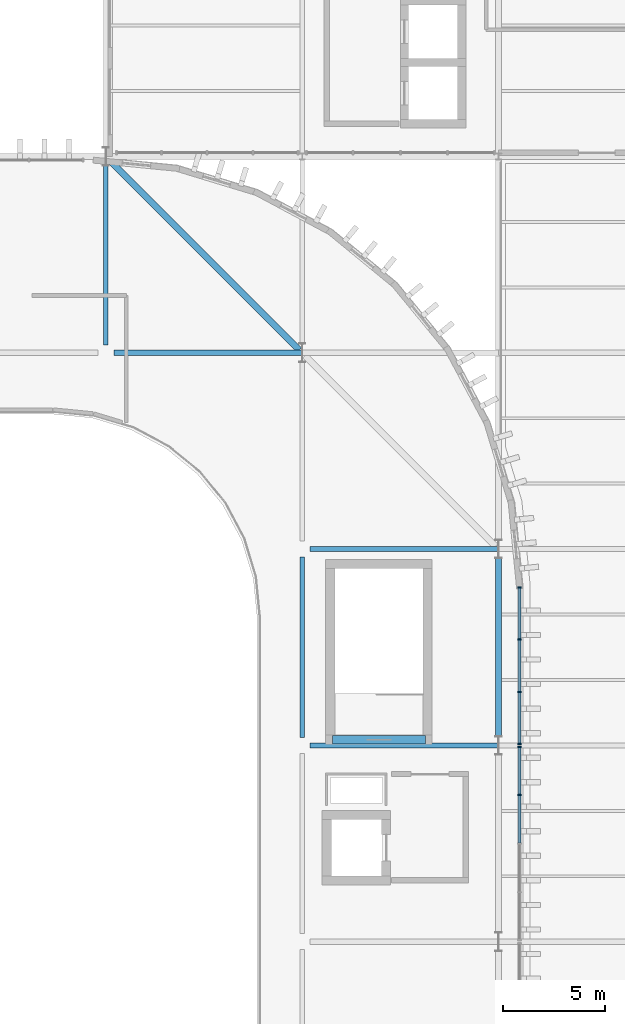
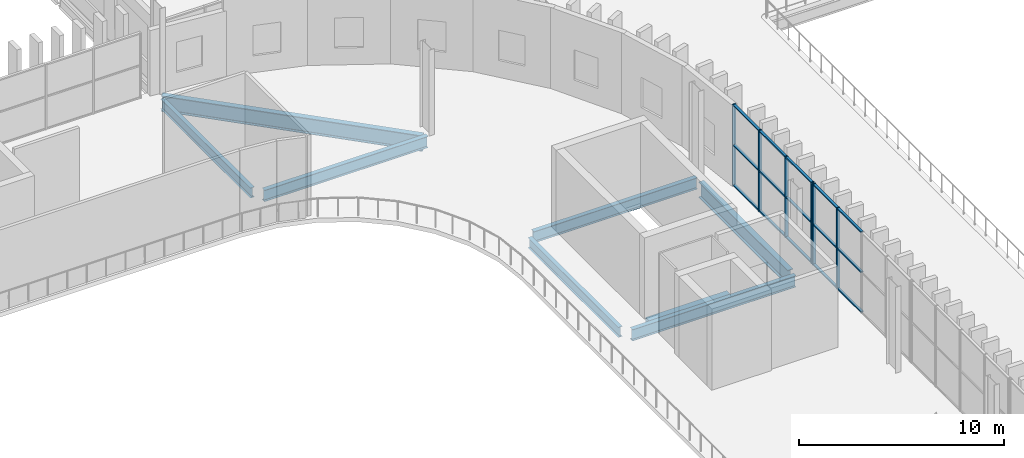
# One storey, part 21 of 45: 21 members, 8 beams, 2 elements without a shape of their own.
"""IFC4 building model written with IfcOpenShell, lengths in metres."""

import ifcopenshell
import ifcopenshell.guid

model = None  # the IFC model being written
_history = None  # IfcOwnerHistory: only IFC2X3 demands one
_inside = {}  # id of a spatial element -> (the spatial element, [elements in it])
_under = {}  # id of a project, library or spatial element -> (it, [spatial elements below it])
_declared = {}  # id of a project -> (the project, [libraries it declares])
_typed = {}  # id of a type object -> (the type object, [elements of that type])
_made_of = {}  # id of a material, layer set ... -> (it, [elements and type objects made of it])


def new_model(schema):
    """Start an empty IFC model of exactly this schema.

    Asked for "IFC4X3", IfcOpenShell would pick the latest addendum, in which some entities
    have other attributes; the version numbers below select the first issue.
    IFC2X3 requires an IfcOwnerHistory on every rooted entity: one is made here for all.
    """
    global model, _history
    if schema == "IFC4X3":
        model = ifcopenshell.file(schema_version=(4, 3, 0, 0))
    else:
        model = ifcopenshell.file(schema=schema)
    _inside.clear()
    _under.clear()
    _declared.clear()
    _typed.clear()
    _made_of.clear()
    _history = None
    if model.schema == "IFC2X3":
        org = make("IfcOrganization", Name="unknown")
        user = make(
            "IfcPersonAndOrganization",
            ThePerson=make("IfcPerson", FamilyName="unknown"),
            TheOrganization=org,
        )
        app = make(
            "IfcApplication",
            ApplicationDeveloper=org,
            Version="unknown",
            ApplicationFullName="unknown",
            ApplicationIdentifier="unknown",
        )
        _history = make(
            "IfcOwnerHistory",
            OwningUser=user,
            OwningApplication=app,
            ChangeAction="ADDED",
            CreationDate=0,
        )
    return model


def make(cls, **values):
    """One entity of the class cls with the attributes given. An attribute that is None is left unset."""
    return model.create_entity(
        cls, **{name: value for name, value in values.items() if value is not None}
    )


def rooted(cls, **values):
    """An entity with a GlobalId (a new one), such as an element, a storey or a relation."""
    return make(cls, GlobalId=ifcopenshell.guid.new(), OwnerHistory=_history, **values)


def si_unit(unit_type, name, prefix=None):
    """IfcSIUnit, for example si_unit("LENGTHUNIT", "METRE", prefix="MILLI")."""
    return make("IfcSIUnit", UnitType=unit_type, Prefix=prefix, Name=name)


def assignment(units):
    """IfcUnitAssignment: the units of a project."""
    return None if units is None else make("IfcUnitAssignment", Units=units)


def point(xyz):
    """IfcCartesianPoint."""
    return None if xyz is None else make("IfcCartesianPoint", Coordinates=xyz)


def direction(xyz):
    """IfcDirection."""
    return None if xyz is None else make("IfcDirection", DirectionRatios=xyz)


def frame(location, z_axis=None, x_axis=None):
    """IfcAxis2Placement3D, a coordinate frame: its origin and axes. An axis left out is left unset."""
    return make(
        "IfcAxis2Placement3D",
        Location=point(location),
        Axis=direction(z_axis),
        RefDirection=direction(x_axis),
    )


def frame_2d(location, x_axis=None):
    """IfcAxis2Placement2D, a coordinate frame in the plane: its origin and x axis."""
    return make(
        "IfcAxis2Placement2D", Location=point(location), RefDirection=direction(x_axis)
    )


def origin():
    """The frame at (0, 0, 0) with its axes left unset."""
    return frame((0.0, 0.0, 0.0))


def origin_2d():
    """The frame at (0, 0) in the plane with its x axis left unset."""
    return frame_2d((0.0, 0.0))


def place(relative_to, where):
    """IfcLocalPlacement: puts the frame where relative to a parent placement (None: the world)."""
    return make(
        "IfcLocalPlacement", PlacementRelTo=relative_to, RelativePlacement=where
    )


def context(
    kind, dimensions, precision=None, world=None, true_north=None, identifier=None
):
    """IfcGeometricRepresentationContext, for example the 3D "Model" context."""
    return make(
        "IfcGeometricRepresentationContext",
        ContextIdentifier=identifier,
        ContextType=kind,
        CoordinateSpaceDimension=dimensions,
        Precision=precision,
        WorldCoordinateSystem=world,
        TrueNorth=true_north,
    )


def subcontext(parent, identifier, kind, view, scale=None):
    """IfcGeometricRepresentationSubContext, for example "Body" below "Model"."""
    return make(
        "IfcGeometricRepresentationSubContext",
        ContextIdentifier=identifier,
        ContextType=kind,
        ParentContext=parent,
        TargetScale=scale,
        TargetView=view,
    )


def project(units=None, contexts=None):
    """IfcProject with its units and contexts."""
    return rooted(
        "IfcProject",
        Name="project",
        RepresentationContexts=contexts,
        UnitsInContext=assignment(units),
    )


def spatial(cls, under=None, at=None, **own):
    """A site, building, storey or space (cls), placed at a placement, below another one or the project."""
    s = rooted(cls, ObjectPlacement=at, **own)
    if under is not None:
        _under.setdefault(under.id(), (under, []))[1].append(s)
    return s


def profile(cls, at=None, kind="AREA", **sizes):
    """A parametric profile (cls). Its sizes go by their IFC names, for example OverallWidth=200.0."""
    return make(cls, ProfileType=kind, Position=at, **sizes)


def rectangle(**sizes):
    """IfcRectangleProfileDef."""
    return profile("IfcRectangleProfileDef", **sizes)


def i_section(**sizes):
    """IfcIShapeProfileDef."""
    return profile("IfcIShapeProfileDef", **sizes)


def extrude(swept, where, along, depth):
    """IfcExtrudedAreaSolid: the profile swept, set in the frame where, extruded along a direction by depth."""
    return make(
        "IfcExtrudedAreaSolid",
        SweptArea=swept,
        Position=where,
        ExtrudedDirection=direction(along),
        Depth=depth,
    )


def shape(context_of_items, identifier, shape_type, items):
    """IfcShapeRepresentation: the items that make up one representation, for example the "Body"."""
    return make(
        "IfcShapeRepresentation",
        ContextOfItems=context_of_items,
        RepresentationIdentifier=identifier,
        RepresentationType=shape_type,
        Items=items,
    )


def material(Name=None, Category=None):
    """IfcMaterial."""
    return make("IfcMaterial", Name=Name, Category=Category)


def layer(
    of_material, thickness, ventilated=None, Name=None, Category=None, Priority=None
):
    """IfcMaterialLayer: one layer of a wall or slab, of a material (None: an air gap)."""
    return make(
        "IfcMaterialLayer",
        Material=of_material,
        LayerThickness=thickness,
        IsVentilated=ventilated,
        Name=Name,
        Category=Category,
        Priority=Priority,
    )


def layer_set(layers, Name=None):
    """IfcMaterialLayerSet."""
    return make("IfcMaterialLayerSet", MaterialLayers=layers, LayerSetName=Name)


def material_profile(
    of_material, cross_section, Name=None, Category=None, Priority=None
):
    """IfcMaterialProfile: a cross section and its material."""
    return make(
        "IfcMaterialProfile",
        Name=Name,
        Material=of_material,
        Profile=cross_section,
        Priority=Priority,
        Category=Category,
    )


def profile_set(profiles, Name=None, composite=None):
    """IfcMaterialProfileSet."""
    return make(
        "IfcMaterialProfileSet",
        Name=Name,
        MaterialProfiles=profiles,
        CompositeProfile=composite,
    )


def made_of(thing, what):
    """Note that an element or type object is made of a material, layer set ...; save() writes the relation."""
    if what is not None:
        _made_of.setdefault(what.id(), (what, []))[1].append(thing)
    return thing


def type_object(cls, material=None, **own):
    """A type object (cls), such as IfcWallType, which elements share."""
    return made_of(rooted(cls, **own), material)


def element(
    cls,
    number,
    at=None,
    inside=None,
    cuts=None,
    type_object=None,
    material=None,
    context=None,
    identifier="Body",
    shape_type=None,
    held_by="IfcProductDefinitionShape",
    body=None,
    shapes=None,
    **own,
):
    """One element of the class cls, such as IfcWall. Its Tag is "e" and its number.

    at: its placement. inside: the storey or other place that contains it. cuts: it is an
    opening in that element (IfcRelVoidsElement). A single representation is given by context,
    identifier, shape_type and body (its items); several are given by shapes. held_by: the class
    of the entity that holds the representations. save() writes the other relations.
    """
    e = rooted(cls, Tag="e%d" % number, ObjectPlacement=at, **own)
    if body is not None:
        shapes = [shape(context, identifier, shape_type, body)]
    if shapes is not None:
        e.Representation = make(held_by, Representations=shapes)
    if inside is not None:
        _inside.setdefault(inside.id(), (inside, []))[1].append(e)
    if cuts is not None:
        rooted(
            "IfcRelVoidsElement", RelatingBuildingElement=cuts, RelatedOpeningElement=e
        )
    if type_object is not None:
        _typed.setdefault(type_object.id(), (type_object, []))[1].append(e)
    return made_of(e, material)


def aggregate(whole, parts):
    """IfcRelAggregates: a whole, such as a stair, and the parts it consists of."""
    return rooted("IfcRelAggregates", RelatingObject=whole, RelatedObjects=parts)


def save(model, path):
    """Write the relations noted so far, then the file.

    IfcRelAggregates (storeys below a building ...), IfcRelContainedInSpatialStructure (elements
    in a storey), IfcRelDefinesByType, IfcRelAssociatesMaterial and IfcRelDeclares: one each for
    every whole, place, type object, material and project.
    """
    for whole, parts in _under.values():
        aggregate(whole, parts)
    for where, things in _inside.values():
        rooted(
            "IfcRelContainedInSpatialStructure",
            RelatedElements=things,
            RelatingStructure=where,
        )
    for kind, things in _typed.values():
        rooted("IfcRelDefinesByType", RelatedObjects=things, RelatingType=kind)
    for what, things in _made_of.values():
        rooted("IfcRelAssociatesMaterial", RelatedObjects=things, RelatingMaterial=what)
    for by, libraries in _declared.values():
        rooted("IfcRelDeclares", RelatingContext=by, RelatedDefinitions=libraries)
    model.write(path)


model = new_model("IFC4")

# Units and contexts
model_context = context("Model", 3, precision=1e-05, world=origin(), true_north=direction((0.0, 1.0)))
body_context = subcontext(model_context, "Body", "Model", "MODEL_VIEW")
ifc_project = project(units=[si_unit("LENGTHUNIT", "METRE"), si_unit("AREAUNIT", "SQUARE_METRE"), si_unit("VOLUMEUNIT", "CUBIC_METRE"), si_unit("PLANEANGLEUNIT", "RADIAN"), si_unit("MASSUNIT", "GRAM", prefix="KILO")], contexts=[model_context])

# Site, building, storey
site_placement = place(None, origin())
site = spatial("IfcSite", under=ifc_project, at=site_placement, CompositionType="ELEMENT")
building_placement = place(site_placement, origin())
building = spatial("IfcBuilding", under=site, at=building_placement, Name="Caelomonte Colonnade Arena", CompositionType="ELEMENT")
storey_placement = place(building_placement, frame((0.0, 0.0, 23.10009765625)))
storey = spatial("IfcBuildingStorey", under=building, at=storey_placement, Name="L05", CompositionType="ELEMENT", Elevation=23.10009765625)

# Curtain wall, members
ifc_material_1 = material(Name="Bronze anodised aluminium and low-E glazing", Category="aluminium")
ifc_layer_1 = layer(ifc_material_1, 0.179931640625)
ifc_layer_set_1 = layer_set([ifc_layer_1], Name="Bronze anodised aluminium and low-E glazing")
curtain_wall_type_1 = type_object("IfcCurtainWallType", Name="ENV-CW-CW-L05-96-48", PredefinedType="USERDEFINED", material=ifc_layer_set_1)
curtain_wall_1_placement = place(storey_placement, origin())
curtain_wall_1 = element("IfcCurtainWall", 1, at=curtain_wall_1_placement, inside=storey, type_object=curtain_wall_type_1, Name="L05 unitized curtain wall CW-L05-1642-0816", ObjectType="UNITIZED CURTAIN WALL", PredefinedType="USERDEFINED")
ifc_material_2 = material(Name="Bronze anodised aluminium AA6063-T6", Category="aluminium")
ifc_material_profile_1 = material_profile(ifc_material_2, rectangle(XDim=0.070068359375, YDim=0.179931640625, at=origin_2d()), Name="CWM-70X180")
ifc_profile_set_1 = profile_set([ifc_material_profile_1], Name="Bronze anodised aluminium AA6063-T6")
member_type_1 = type_object("IfcMemberType", Name="ENV-CW-MULL1", PredefinedType="MULLION", material=ifc_profile_set_1)
member_1_placement = place(storey_placement, frame((164.219970703125, 83.97998046875, 0.0), z_axis=(0.0, 0.0, 1.0), x_axis=(0.0, 1.0, 0.0)))
member_1 = element("IfcMember", 2, at=member_1_placement, type_object=member_type_1, Name="CW-L05-96-48 mullion 4", PredefinedType="MULLION", context=body_context, shape_type="SweptSolid", body=[
    extrude(rectangle(XDim=0.070068359375, YDim=0.179931640625, at=origin_2d()), origin(), (0.0, 0.0, 1.0), 4.81982421875),
])
member_2_placement = place(storey_placement, frame((164.219970703125, 86.324951171875, 0.0), z_axis=(0.0, 0.0, 1.0), x_axis=(0.0, 1.0, 0.0)))
member_2 = element("IfcMember", 3, at=member_2_placement, type_object=member_type_1, Name="CW-L05-96-48 mullion 5", PredefinedType="MULLION", context=body_context, shape_type="SweptSolid", body=[
    extrude(rectangle(XDim=0.070068359375, YDim=0.179931640625, at=origin_2d()), origin(), (0.0, 0.0, 1.0), 4.81982421875),
])

ifc_layer_2 = layer(ifc_material_1, 0.179931640625)
ifc_layer_set_2 = layer_set([ifc_layer_2], Name="Bronze anodised aluminium and low-E glazing")
curtain_wall_type_2 = type_object("IfcCurtainWallType", Name="ENV-CW-CW-L05-79-48", PredefinedType="USERDEFINED", material=ifc_layer_set_2)
curtain_wall_2_placement = place(storey_placement, origin())
curtain_wall_2 = element("IfcCurtainWall", 4, at=curtain_wall_2_placement, inside=storey, type_object=curtain_wall_type_2, Name="L05 unitized curtain wall CW-L05-1642-0904", ObjectType="UNITIZED CURTAIN WALL", PredefinedType="USERDEFINED")
member_3_placement = place(storey_placement, frame((164.219970703125, 86.47509765625, 0.0), z_axis=(0.0, 0.0, 1.0), x_axis=(0.0, 1.0, 0.0)))
member_3 = element("IfcMember", 5, at=member_3_placement, type_object=member_type_1, Name="CW-L05-79-48 mullion 1", PredefinedType="MULLION", context=body_context, shape_type="SweptSolid", body=[
    extrude(rectangle(XDim=0.070068359375, YDim=0.179931640625, at=origin_2d()), origin(), (0.0, 0.0, 1.0), 4.81982421875),
])
member_4_placement = place(storey_placement, frame((164.219970703125, 89.013427734375, 0.0), z_axis=(0.0, 0.0, 1.0), x_axis=(0.0, 1.0, 0.0)))
member_4 = element("IfcMember", 6, at=member_4_placement, type_object=member_type_1, Name="CW-L05-79-48 mullion 2", PredefinedType="MULLION", context=body_context, shape_type="SweptSolid", body=[
    extrude(rectangle(XDim=0.070068359375, YDim=0.179931640625, at=origin_2d()), origin(), (0.0, 0.0, 1.0), 4.81982421875),
])
member_5_placement = place(storey_placement, frame((164.219970703125, 91.586669921875, 0.0), z_axis=(0.0, 0.0, 1.0), x_axis=(0.0, 1.0, 0.0)))
member_5 = element("IfcMember", 7, at=member_5_placement, type_object=member_type_1, Name="CW-L05-79-48 mullion 3", PredefinedType="MULLION", context=body_context, shape_type="SweptSolid", body=[
    extrude(rectangle(XDim=0.070068359375, YDim=0.179931640625, at=origin_2d()), origin(), (0.0, 0.0, 1.0), 4.81982421875),
])
member_6_placement = place(storey_placement, frame((164.219970703125, 94.125, 0.0), z_axis=(0.0, 0.0, 1.0), x_axis=(0.0, 1.0, 0.0)))
member_6 = element("IfcMember", 8, at=member_6_placement, type_object=member_type_1, Name="CW-L05-79-48 mullion 4", PredefinedType="MULLION", context=body_context, shape_type="SweptSolid", body=[
    extrude(rectangle(XDim=0.070068359375, YDim=0.179931640625, at=origin_2d()), origin(), (0.0, 0.0, 1.0), 4.81982421875),
])

# Member
ifc_material_profile_2 = material_profile(ifc_material_2, rectangle(XDim=0.070068359375, YDim=0.139892578125, at=origin_2d()), Name="CWT-70X140")
ifc_profile_set_2 = profile_set([ifc_material_profile_2], Name="Bronze anodised aluminium AA6063-T6")
member_type_2 = type_object("IfcMemberType", Name="ENV-CW-TRAN1", PredefinedType="USERDEFINED", material=ifc_profile_set_2)
member_7_placement = place(storey_placement, frame((164.219970703125, 81.635009765625, 0.034912109375), z_axis=(0.0, 1.0, 0.0), x_axis=(0.0, 0.0, 1.0)))
member_7 = element("IfcMember", 9, at=member_7_placement, type_object=member_type_2, Name="CW-L05-96-48 transom 3.1", ObjectType="TRANSOM", PredefinedType="USERDEFINED", context=body_context, shape_type="SweptSolid", body=[
    extrude(rectangle(XDim=0.070068359375, YDim=0.139892578125, at=origin_2d()), origin(), (0.0, 0.0, 1.0), 2.31005859375),
])

member_8_placement = place(storey_placement, frame((164.219970703125, 81.635009765625, 2.409912109375), z_axis=(0.0, 1.0, 0.0), x_axis=(0.0, 0.0, 1.0)))
member_8 = element("IfcMember", 10, at=member_8_placement, type_object=member_type_2, Name="CW-L05-96-48 transom 3.2", ObjectType="TRANSOM", PredefinedType="USERDEFINED", context=body_context, shape_type="SweptSolid", body=[
    extrude(rectangle(XDim=0.070068359375, YDim=0.139892578125, at=origin_2d()), origin(), (0.0, 0.0, 1.0), 2.31005859375),
])

member_9_placement = place(storey_placement, frame((164.219970703125, 81.635009765625, 4.784912109375), z_axis=(0.0, 1.0, 0.0), x_axis=(0.0, 0.0, 1.0)))
member_9 = element("IfcMember", 11, at=member_9_placement, type_object=member_type_2, Name="CW-L05-96-48 transom 3.3", ObjectType="TRANSOM", PredefinedType="USERDEFINED", context=body_context, shape_type="SweptSolid", body=[
    extrude(rectangle(XDim=0.070068359375, YDim=0.139892578125, at=origin_2d()), origin(), (0.0, 0.0, 1.0), 2.31005859375),
])

member_10_placement = place(storey_placement, frame((164.219970703125, 84.014892578125, 0.034912109375), z_axis=(0.0, 1.0, 0.0), x_axis=(0.0, 0.0, 1.0)))
member_10 = element("IfcMember", 12, at=member_10_placement, type_object=member_type_2, Name="CW-L05-96-48 transom 4.1", ObjectType="TRANSOM", PredefinedType="USERDEFINED", context=body_context, shape_type="SweptSolid", body=[
    extrude(rectangle(XDim=0.070068359375, YDim=0.139892578125, at=origin_2d()), origin(), (0.0, 0.0, 1.0), 2.275146484375),
])

member_11_placement = place(storey_placement, frame((164.219970703125, 84.014892578125, 2.409912109375), z_axis=(0.0, 1.0, 0.0), x_axis=(0.0, 0.0, 1.0)))
member_11 = element("IfcMember", 13, at=member_11_placement, type_object=member_type_2, Name="CW-L05-96-48 transom 4.2", ObjectType="TRANSOM", PredefinedType="USERDEFINED", context=body_context, shape_type="SweptSolid", body=[
    extrude(rectangle(XDim=0.070068359375, YDim=0.139892578125, at=origin_2d()), origin(), (0.0, 0.0, 1.0), 2.275146484375),
])

member_12_placement = place(storey_placement, frame((164.219970703125, 84.014892578125, 4.784912109375), z_axis=(0.0, 1.0, 0.0), x_axis=(0.0, 0.0, 1.0)))
member_12 = element("IfcMember", 14, at=member_12_placement, type_object=member_type_2, Name="CW-L05-96-48 transom 4.3", ObjectType="TRANSOM", PredefinedType="USERDEFINED", context=body_context, shape_type="SweptSolid", body=[
    extrude(rectangle(XDim=0.070068359375, YDim=0.139892578125, at=origin_2d()), origin(), (0.0, 0.0, 1.0), 2.275146484375),
])

aggregate(curtain_wall_1, [member_1, member_2, member_7, member_8, member_9, member_10, member_11, member_12])

member_13_placement = place(storey_placement, frame((164.219970703125, 86.510009765625, 0.034912109375), z_axis=(0.0, 1.0, 0.0), x_axis=(0.0, 0.0, 1.0)))
member_13 = element("IfcMember", 15, at=member_13_placement, type_object=member_type_2, Name="CW-L05-79-48 transom 1.1", ObjectType="TRANSOM", PredefinedType="USERDEFINED", context=body_context, shape_type="SweptSolid", body=[
    extrude(rectangle(XDim=0.070068359375, YDim=0.139892578125, at=origin_2d()), origin(), (0.0, 0.0, 1.0), 2.46826171875),
])

member_14_placement = place(storey_placement, frame((164.219970703125, 86.510009765625, 2.409912109375), z_axis=(0.0, 1.0, 0.0), x_axis=(0.0, 0.0, 1.0)))
member_14 = element("IfcMember", 16, at=member_14_placement, type_object=member_type_2, Name="CW-L05-79-48 transom 1.2", ObjectType="TRANSOM", PredefinedType="USERDEFINED", context=body_context, shape_type="SweptSolid", body=[
    extrude(rectangle(XDim=0.070068359375, YDim=0.139892578125, at=origin_2d()), origin(), (0.0, 0.0, 1.0), 2.46826171875),
])

member_15_placement = place(storey_placement, frame((164.219970703125, 86.510009765625, 4.784912109375), z_axis=(0.0, 1.0, 0.0), x_axis=(0.0, 0.0, 1.0)))
member_15 = element("IfcMember", 17, at=member_15_placement, type_object=member_type_2, Name="CW-L05-79-48 transom 1.3", ObjectType="TRANSOM", PredefinedType="USERDEFINED", context=body_context, shape_type="SweptSolid", body=[
    extrude(rectangle(XDim=0.070068359375, YDim=0.139892578125, at=origin_2d()), origin(), (0.0, 0.0, 1.0), 2.46826171875),
])

member_16_placement = place(storey_placement, frame((164.219970703125, 89.04833984375, 0.034912109375), z_axis=(0.0, 1.0, 0.0), x_axis=(0.0, 0.0, 1.0)))
member_16 = element("IfcMember", 18, at=member_16_placement, type_object=member_type_2, Name="CW-L05-79-48 transom 2.1", ObjectType="TRANSOM", PredefinedType="USERDEFINED", context=body_context, shape_type="SweptSolid", body=[
    extrude(rectangle(XDim=0.070068359375, YDim=0.139892578125, at=origin_2d()), origin(), (0.0, 0.0, 1.0), 2.50341796875),
])

member_17_placement = place(storey_placement, frame((164.219970703125, 89.04833984375, 2.409912109375), z_axis=(0.0, 1.0, 0.0), x_axis=(0.0, 0.0, 1.0)))
member_17 = element("IfcMember", 19, at=member_17_placement, type_object=member_type_2, Name="CW-L05-79-48 transom 2.2", ObjectType="TRANSOM", PredefinedType="USERDEFINED", context=body_context, shape_type="SweptSolid", body=[
    extrude(rectangle(XDim=0.070068359375, YDim=0.139892578125, at=origin_2d()), origin(), (0.0, 0.0, 1.0), 2.50341796875),
])

member_18_placement = place(storey_placement, frame((164.219970703125, 89.04833984375, 4.784912109375), z_axis=(0.0, 1.0, 0.0), x_axis=(0.0, 0.0, 1.0)))
member_18 = element("IfcMember", 20, at=member_18_placement, type_object=member_type_2, Name="CW-L05-79-48 transom 2.3", ObjectType="TRANSOM", PredefinedType="USERDEFINED", context=body_context, shape_type="SweptSolid", body=[
    extrude(rectangle(XDim=0.070068359375, YDim=0.139892578125, at=origin_2d()), origin(), (0.0, 0.0, 1.0), 2.50341796875),
])

member_19_placement = place(storey_placement, frame((164.219970703125, 91.62158203125, 0.034912109375), z_axis=(0.0, 1.0, 0.0), x_axis=(0.0, 0.0, 1.0)))
member_19 = element("IfcMember", 21, at=member_19_placement, type_object=member_type_2, Name="CW-L05-79-48 transom 3.1", ObjectType="TRANSOM", PredefinedType="USERDEFINED", context=body_context, shape_type="SweptSolid", body=[
    extrude(rectangle(XDim=0.070068359375, YDim=0.139892578125, at=origin_2d()), origin(), (0.0, 0.0, 1.0), 2.468505859375),
])

member_20_placement = place(storey_placement, frame((164.219970703125, 91.62158203125, 2.409912109375), z_axis=(0.0, 1.0, 0.0), x_axis=(0.0, 0.0, 1.0)))
member_20 = element("IfcMember", 22, at=member_20_placement, type_object=member_type_2, Name="CW-L05-79-48 transom 3.2", ObjectType="TRANSOM", PredefinedType="USERDEFINED", context=body_context, shape_type="SweptSolid", body=[
    extrude(rectangle(XDim=0.070068359375, YDim=0.139892578125, at=origin_2d()), origin(), (0.0, 0.0, 1.0), 2.468505859375),
])

member_21_placement = place(storey_placement, frame((164.219970703125, 91.62158203125, 4.784912109375), z_axis=(0.0, 1.0, 0.0), x_axis=(0.0, 0.0, 1.0)))
member_21 = element("IfcMember", 23, at=member_21_placement, type_object=member_type_2, Name="CW-L05-79-48 transom 3.3", ObjectType="TRANSOM", PredefinedType="USERDEFINED", context=body_context, shape_type="SweptSolid", body=[
    extrude(rectangle(XDim=0.070068359375, YDim=0.139892578125, at=origin_2d()), origin(), (0.0, 0.0, 1.0), 2.468505859375),
])

aggregate(curtain_wall_2, [member_3, member_4, member_5, member_6, member_13, member_14, member_15, member_16, member_17, member_18, member_19, member_20, member_21])

# Beams
ifc_material_3 = material(Name="Wide-flange steel ASTM A992 Grade 50", Category="steel")
ifc_material_profile_3 = material_profile(ifc_material_3, i_section(OverallWidth=0.307861328125, OverallDepth=0.927001953125, WebThickness=0.019287109375, FlangeThickness=0.031982421875, FilletRadius=0.020263671875, at=origin_2d()), Name="W36X194")
ifc_profile_set_3 = profile_set([ifc_material_profile_3], Name="Wide-flange steel ASTM A992 Grade 50")
beam_type_1 = type_object("IfcBeamType", Name="STR-BM-EAVES2", PredefinedType="SPANDREL", material=ifc_profile_set_3)
beam_1_placement = place(storey_placement, frame((163.199951171875, 86.855712890625, -0.7236328125), z_axis=(0.0, 1.0, 0.0), x_axis=(-1.0, 0.0, 0.0)))
element("IfcBeam", 24, at=beam_1_placement, inside=storey, type_object=beam_type_1, Name="L05 girder BMY-L05-1632-0864", PredefinedType="SPANDREL", context=body_context, shape_type="SweptSolid", body=[
    extrude(i_section(OverallWidth=0.307861328125, OverallDepth=0.927001953125, WebThickness=0.019287109375, FlangeThickness=0.031982421875, FilletRadius=0.020263671875, at=origin_2d()), origin(), (0.0, 0.0, 1.0), 8.688720703125),
])
beam_2_placement = place(storey_placement, frame((153.457763671875, 105.7421875, -0.7236328125), z_axis=(-0.707106781187, 0.707106781187, 0.0), x_axis=(-0.707106781187, -0.707106781187, 0.0)))
element("IfcBeam", 25, at=beam_2_placement, inside=storey, type_object=beam_type_1, Name="L05 drum corner ring girder 6", PredefinedType="SPANDREL", context=body_context, shape_type="SweptSolid", body=[
    extrude(i_section(OverallWidth=0.307861328125, OverallDepth=0.927001953125, WebThickness=0.019287109375, FlangeThickness=0.031982421875, FilletRadius=0.020263671875, at=origin_2d()), origin(), (0.0, 0.0, 1.0), 13.17431640625),
])
ifc_material_profile_4 = material_profile(ifc_material_3, i_section(OverallWidth=0.227783203125, OverallDepth=0.60205078125, WebThickness=0.010498046875, FlangeThickness=0.014892578125, FilletRadius=0.0126953125, at=origin_2d()), Name="W24X68")
ifc_profile_set_4 = profile_set([ifc_material_profile_4], Name="Wide-flange steel ASTM A992 Grade 50")
beam_type_2 = type_object("IfcBeamType", Name="STR-BM-GIRD24B", PredefinedType="SPANDREL", material=ifc_profile_set_4)
beam_3_placement = place(storey_placement, frame((144.0, 105.991943359375, -0.56103515625), z_axis=(0.0, 1.0, 0.0), x_axis=(-1.0, 0.0, 0.0)))
element("IfcBeam", 26, at=beam_3_placement, inside=storey, type_object=beam_type_2, Name="L05 girder BMY-L05-1440-1056", PredefinedType="SPANDREL", context=body_context, shape_type="SweptSolid", body=[
    extrude(i_section(OverallWidth=0.227783203125, OverallDepth=0.60205078125, WebThickness=0.010498046875, FlangeThickness=0.014892578125, FilletRadius=0.0126953125, at=origin_2d()), origin(), (0.0, 0.0, 1.0), 8.75244140625),
])
beam_4_placement = place(storey_placement, frame((153.60009765625, 86.7919921875, -0.56103515625), z_axis=(0.0, 1.0, 0.0), x_axis=(-1.0, 0.0, 0.0)))
element("IfcBeam", 27, at=beam_4_placement, inside=storey, type_object=beam_type_2, Name="L05 girder BMY-L05-1536-0864", PredefinedType="SPANDREL", context=body_context, shape_type="SweptSolid", body=[
    extrude(i_section(OverallWidth=0.227783203125, OverallDepth=0.60205078125, WebThickness=0.010498046875, FlangeThickness=0.014892578125, FilletRadius=0.0126953125, at=origin_2d()), origin(), (0.0, 0.0, 1.0), 8.81591796875),
])
ifc_material_profile_5 = material_profile(ifc_material_3, i_section(OverallWidth=0.2529296875, OverallDepth=0.67822265625, WebThickness=0.01171875, FlangeThickness=0.016357421875, FilletRadius=0.01513671875, at=origin_2d()), Name="W27X84")
ifc_profile_set_5 = profile_set([ifc_material_profile_5], Name="Wide-flange steel ASTM A992 Grade 50")
beam_type_3 = type_object("IfcBeamType", Name="STR-BM-GIRD27B", PredefinedType="BEAM", material=ifc_profile_set_5)
for number, where, z_axis, x_axis, name in (
    (28, (153.991943359375, 86.39990234375, -0.59912109375), (1.0, 0.0, 0.0), (0.0, 1.0, 0.0), "L05 girder BMX-L05-1536-0864"),
    (29, (153.991943359375, 96.0, -0.59912109375), (1.0, 0.0, 0.0), (0.0, 1.0, 0.0), "L05 girder BMX-L05-1536-0960"),
    (30, (144.39208984375, 105.60009765625, -0.59912109375), (1.0, 0.0, 0.0), (0.0, 1.0, 0.0), "L05 girder BMX-L05-1440-1056"),
):
    element("IfcBeam", number, at=place(storey_placement, frame(where, z_axis=z_axis, x_axis=x_axis)), inside=storey, type_object=beam_type_3, Name=name, PredefinedType="BEAM", context=body_context, shape_type="SweptSolid", body=[
        extrude(i_section(OverallWidth=0.2529296875, OverallDepth=0.67822265625, WebThickness=0.01171875, FlangeThickness=0.016357421875, FilletRadius=0.01513671875, at=origin_2d()), origin(), (0.0, 0.0, 1.0), 9.1982421875),
    ])
ifc_material_4 = material(Name="Concrete C40/50", Category="concrete")
ifc_material_profile_6 = material_profile(ifc_material_4, rectangle(XDim=0.39990234375, YDim=0.64990234375, at=origin_2d()), Name="RC400X650")
ifc_profile_set_6 = profile_set([ifc_material_profile_6], Name="Concrete C40/50")
beam_type_4 = type_object("IfcBeamType", Name="STR-BM-LINT40", PredefinedType="LINTEL", material=ifc_profile_set_6)
beam_5_placement = place(storey_placement, frame((155.074951171875, 86.675048828125, -0.585205078125), z_axis=(1.0, 0.0, 0.0), x_axis=(0.0, 1.0, 0.0)))
element("IfcBeam", 31, at=beam_5_placement, inside=storey, type_object=beam_type_4, Name="Core C3 L05 coupling lintel beam", PredefinedType="LINTEL", context=body_context, shape_type="SweptSolid", body=[
    extrude(rectangle(XDim=0.39990234375, YDim=0.64990234375, at=origin_2d()), origin(), (0.0, 0.0, 1.0), 4.550048828125),
])

save(model, "model.ifc")
